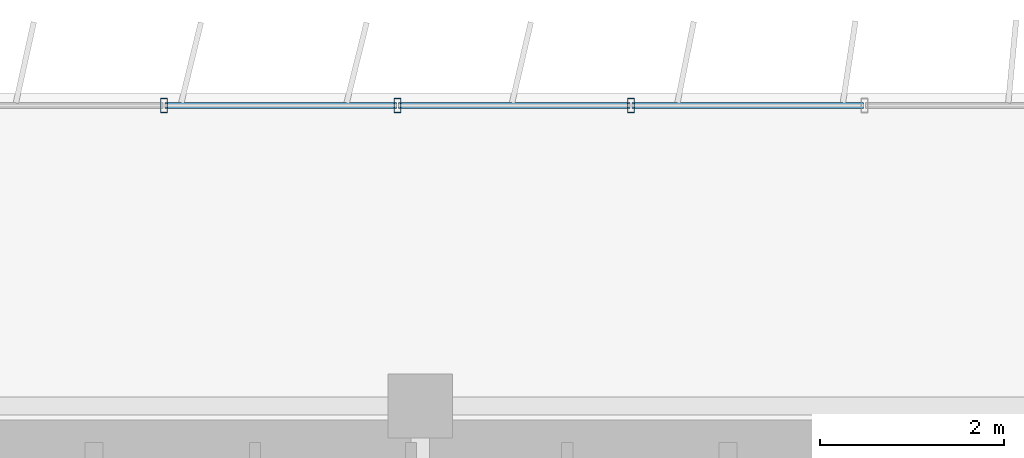
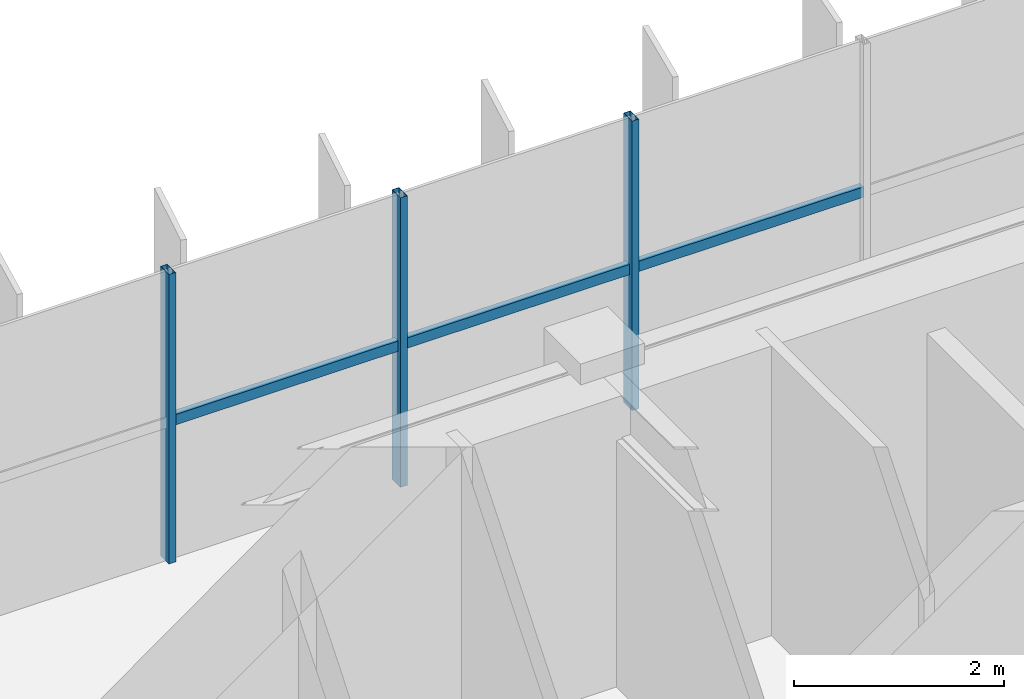
# One storey, part 21 of 34: 6 members, 1 element without a shape of its own.
"""IFC4 building model written with IfcOpenShell, lengths in metres."""

from ifc_helpers import new_model, si_unit, direction, frame, origin, origin_2d, place, context, subcontext, project, spatial, hollow_rectangle, extrude, source, transform, mapped, material, material_profile, profile_set, type_object, element, aggregate, save


model = new_model("IFC4")

# Units and contexts
model_context = context("Model", 3, precision=1e-05, world=origin(), true_north=direction((0.0, 1.0)))
body_context = subcontext(model_context, "Body", "Model", "MODEL_VIEW")
ifc_project = project(units=[si_unit("LENGTHUNIT", "METRE"), si_unit("AREAUNIT", "SQUARE_METRE"), si_unit("VOLUMEUNIT", "CUBIC_METRE"), si_unit("PLANEANGLEUNIT", "RADIAN"), si_unit("MASSUNIT", "GRAM", prefix="KILO")], contexts=[model_context])

# Site, building, storey
site_placement = place(None, origin())
site = spatial("IfcSite", under=ifc_project, at=site_placement, CompositionType="ELEMENT")
building_placement = place(site_placement, origin())
building = spatial("IfcBuilding", under=site, at=building_placement, Name="Trelvane Seafront Commons", CompositionType="ELEMENT")
storey_placement = place(building_placement, frame((0.0, 0.0, 197.699951171875)))
storey = spatial("IfcBuildingStorey", under=building, at=storey_placement, Name="L51", CompositionType="ELEMENT", Elevation=197.699951171875)

# Curtain wall, members
ifc_material = material(Name="Anodised pale-silver aluminium", Category="aluminium")
curtain_wall_type = type_object("IfcCurtainWallType", Name="ARCH-CW5-UPTOWER", PredefinedType="NOTDEFINED", material=ifc_material)
curtain_wall_placement = place(storey_placement, origin())
curtain_wall = element("IfcCurtainWall", 1, at=curtain_wall_placement, inside=storey, type_object=curtain_wall_type, Name="CW-L51-0084", PredefinedType="NOTDEFINED")
ifc_material_profile_1 = material_profile(ifc_material, hollow_rectangle(XDim=0.070068359375, YDim=0.1201171875, WallThickness=0.00390625, at=origin_2d()), Name="TRAN-70x120x4")
ifc_profile_set_1 = profile_set([ifc_material_profile_1], Name="Anodised pale-silver aluminium")
member_type_1 = type_object("IfcMemberType", Name="ARCH-CW-TRAN-120", PredefinedType="USERDEFINED", material=ifc_profile_set_1)
shared_shape_1 = source(origin(), body_context, "Body", "SweptSolid", [
    extrude(hollow_rectangle(XDim=0.070068359375, YDim=0.1201171875, WallThickness=0.00390625, at=origin_2d()), origin(), (0.0, 0.0, 1.0), 2.51708984375),
])
member_1_placement = place(storey_placement, frame((43.56494140625, 48.3701171875, 1.613037109375), z_axis=(1.0, 0.0, 0.0), x_axis=(0.0, 1.0, 0.0)))
member_1 = element("IfcMember", 2, at=member_1_placement, type_object=member_type_1, Name="CW-L51-0084-T11", ObjectType="TRANSOM", PredefinedType="USERDEFINED", context=body_context, shape_type="MappedRepresentation", body=[
    mapped(shared_shape_1, transform((0.0, 0.0, 0.0), x_axis=(1.0, 0.0, 0.0), y_axis=(0.0, 1.0, 0.0), z_axis=(0.0, 0.0, 1.0), scale=1.0)),
])
member_2_placement = place(storey_placement, frame((46.106201171875, 48.3701171875, 1.613037109375), z_axis=(1.0, 0.0, 0.0), x_axis=(0.0, 1.0, 0.0)))
member_2 = element("IfcMember", 3, at=member_2_placement, type_object=member_type_1, Name="CW-L51-0084-T12", ObjectType="TRANSOM", PredefinedType="USERDEFINED", context=body_context, shape_type="MappedRepresentation", body=[
    mapped(shared_shape_1, transform((0.0, 0.0, 0.0), x_axis=(1.0, 0.0, 0.0), y_axis=(0.0, 1.0, 0.0), z_axis=(0.0, 0.0, 1.0), scale=1.0)),
])
shared_shape_2 = source(origin(), body_context, "Body", "SweptSolid", [
    extrude(hollow_rectangle(XDim=0.070068359375, YDim=0.1201171875, WallThickness=0.00390625, at=origin_2d()), origin(), (0.0, 0.0, 1.0), 2.517333984375),
])
member_3_placement = place(storey_placement, frame((41.023681640625, 48.3701171875, 1.613037109375), z_axis=(1.0, 0.0, 0.0), x_axis=(0.0, 1.0, 0.0)))
member_3 = element("IfcMember", 4, at=member_3_placement, type_object=member_type_1, Name="CW-L51-0084-T10", ObjectType="TRANSOM", PredefinedType="USERDEFINED", context=body_context, shape_type="MappedRepresentation", body=[
    mapped(shared_shape_2, transform((0.0, 0.0, 0.0), x_axis=(1.0, 0.0, 0.0), y_axis=(0.0, 1.0, 0.0), z_axis=(0.0, 0.0, 1.0), scale=1.0)),
])
ifc_material_profile_2 = material_profile(ifc_material, hollow_rectangle(XDim=0.074951171875, YDim=0.159912109375, WallThickness=0.00390625, at=origin_2d()), Name="MULL-75x160x4")
ifc_profile_set_2 = profile_set([ifc_material_profile_2], Name="Anodised pale-silver aluminium")
member_type_2 = type_object("IfcMemberType", Name="ARCH-CW-MULL-160", PredefinedType="MULLION", material=ifc_profile_set_2)
shared_shape_3 = source(origin(), body_context, "Body", "SweptSolid", [
    extrude(hollow_rectangle(XDim=0.074951171875, YDim=0.159912109375, WallThickness=0.00390625, at=origin_2d()), origin(), (0.0, 0.0, 1.0), 3.360107421875),
])
member_4_placement = place(storey_placement, frame((41.01171875, 48.3701171875, 0.0), z_axis=(0.0, 0.0, 1.0), x_axis=(1.0, 0.0, 0.0)))
member_4 = element("IfcMember", 5, at=member_4_placement, type_object=member_type_2, Name="CW-L51-0084-M10", PredefinedType="MULLION", context=body_context, shape_type="MappedRepresentation", body=[
    mapped(shared_shape_3, transform((0.0, 0.0, 0.0), x_axis=(1.0, 0.0, 0.0), y_axis=(0.0, 1.0, 0.0), z_axis=(0.0, 0.0, 1.0), scale=1.0)),
])
member_5_placement = place(storey_placement, frame((43.552978515625, 48.3701171875, 0.0), z_axis=(0.0, 0.0, 1.0), x_axis=(1.0, 0.0, 0.0)))
member_5 = element("IfcMember", 6, at=member_5_placement, type_object=member_type_2, Name="CW-L51-0084-M11", PredefinedType="MULLION", context=body_context, shape_type="MappedRepresentation", body=[
    mapped(shared_shape_3, transform((0.0, 0.0, 0.0), x_axis=(1.0, 0.0, 0.0), y_axis=(0.0, 1.0, 0.0), z_axis=(0.0, 0.0, 1.0), scale=1.0)),
])
member_6_placement = place(storey_placement, frame((46.093994140625, 48.3701171875, 0.0), z_axis=(0.0, 0.0, 1.0), x_axis=(1.0, 0.0, 0.0)))
member_6 = element("IfcMember", 7, at=member_6_placement, type_object=member_type_2, Name="CW-L51-0084-M12", PredefinedType="MULLION", context=body_context, shape_type="MappedRepresentation", body=[
    mapped(shared_shape_3, transform((0.0, 0.0, 0.0), x_axis=(1.0, 0.0, 0.0), y_axis=(0.0, 1.0, 0.0), z_axis=(0.0, 0.0, 1.0), scale=1.0)),
])
aggregate(curtain_wall, [member_4, member_5, member_6, member_3, member_1, member_2])

save(model, "model.ifc")
